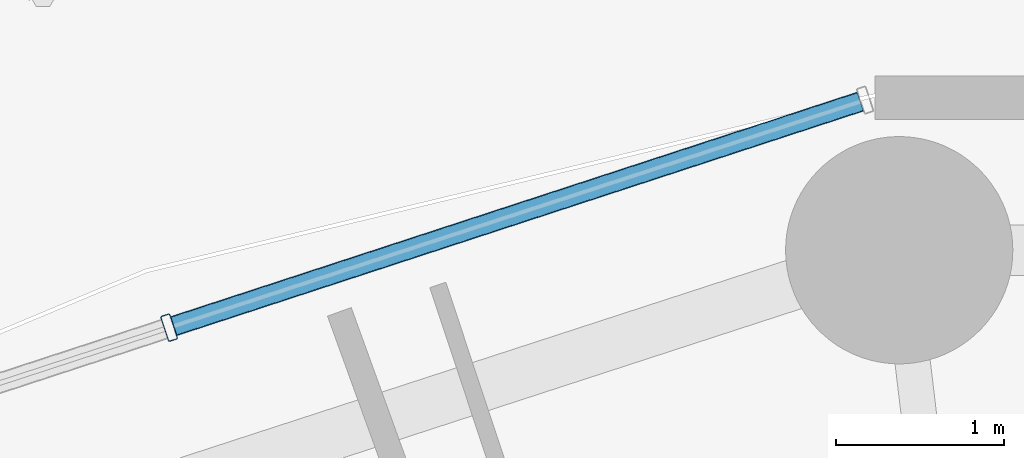
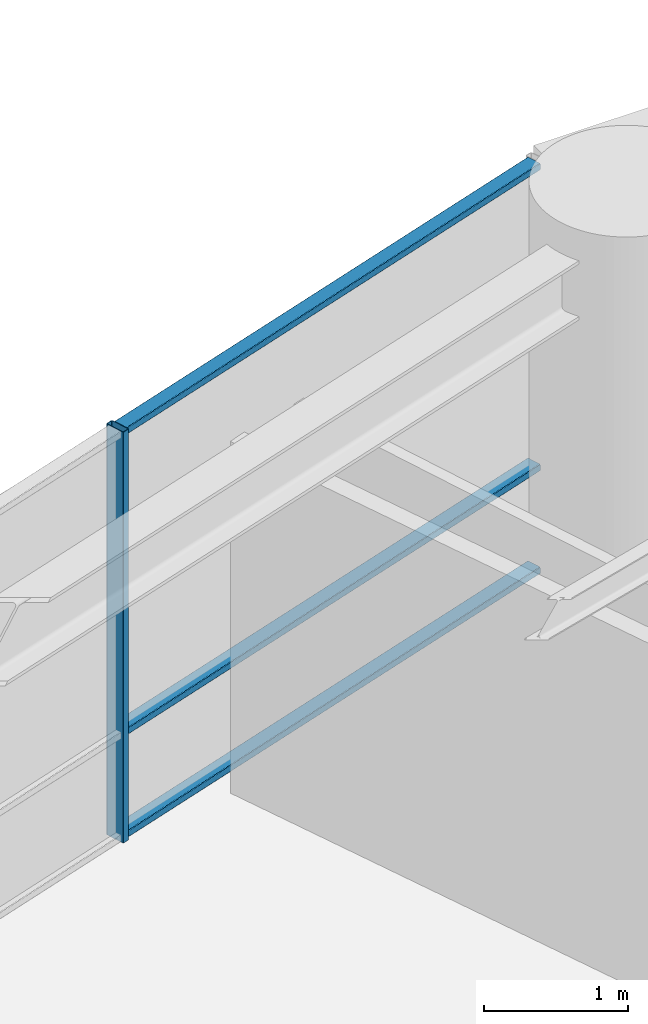
# One storey, part 19 of 34: 4 members, 1 element without a shape of its own.
"""IFC4 building model written with IfcOpenShell, lengths in metres."""

from ifc_helpers import new_model, si_unit, direction, frame, origin, origin_2d, place, context, subcontext, project, spatial, hollow_rectangle, extrude, material, layer, layer_set, material_profile, profile_set, type_object, element, aggregate, save


model = new_model("IFC4")

# Units and contexts
model_context = context("Model", 3, precision=1e-05, world=origin(), true_north=direction((0.0, 1.0)))
body_context = subcontext(model_context, "Body", "Model", "MODEL_VIEW")
ifc_project = project(units=[si_unit("LENGTHUNIT", "METRE"), si_unit("AREAUNIT", "SQUARE_METRE"), si_unit("VOLUMEUNIT", "CUBIC_METRE"), si_unit("PLANEANGLEUNIT", "RADIAN"), si_unit("MASSUNIT", "GRAM", prefix="KILO")], contexts=[model_context])

# Site, building, storey
site_placement = place(None, origin())
site = spatial("IfcSite", under=ifc_project, at=site_placement, CompositionType="ELEMENT")
building_placement = place(site_placement, origin())
building = spatial("IfcBuilding", under=site, at=building_placement, Name="Kelanora Arch Commons", CompositionType="ELEMENT")
storey_placement = place(building_placement, frame((0.0, 0.0, 76.35009765625)))
storey = spatial("IfcBuildingStorey", under=building, at=storey_placement, Name="L19", CompositionType="ELEMENT", Elevation=76.35009765625)

# Curtain wall, members
ifc_material_1 = material(Name="Terracotta ceramic-fritted low-E glass and aluminium", Category="masonry")
ifc_layer = layer(ifc_material_1, 0.159912109375)
ifc_layer_set = layer_set([ifc_layer], Name="Terracotta ceramic-fritted low-E glass and aluminium")
curtain_wall_type = type_object("IfcCurtainWallType", Name="CW-SYS-01", PredefinedType="NOTDEFINED", material=ifc_layer_set)
curtain_wall_placement = place(storey_placement, origin())
curtain_wall = element("IfcCurtainWall", 1, at=curtain_wall_placement, inside=storey, type_object=curtain_wall_type, Name="Unitised Curtain Wall L19-B05", PredefinedType="NOTDEFINED")
ifc_material_2 = material(Name="Powder-coated aluminium terracotta", Category="masonry")
ifc_material_profile_1 = material_profile(ifc_material_2, hollow_rectangle(XDim=0.159912109375, YDim=0.06005859375, WallThickness=0.0048828125, InnerFilletRadius=0.0048828125, OuterFilletRadius=0.010009765625, at=origin_2d()), Name="CWM160x60")
ifc_profile_set_1 = profile_set([ifc_material_profile_1], Name="Powder-coated aluminium terracotta")
member_type_1 = type_object("IfcMemberType", Name="CWM-STD", PredefinedType="MULLION", material=ifc_profile_set_1)
member_1_placement = place(storey_placement, frame((65.377197265625, 79.28466796875, 0.0), z_axis=(0.0, 0.0, 1.0), x_axis=(0.31080470294, -0.950473795867, 0.0)))
member_1 = element("IfcMember", 2, at=member_1_placement, type_object=member_type_1, Name="CW-01 mullion 2", PredefinedType="MULLION", context=body_context, shape_type="SweptSolid", body=[
    extrude(hollow_rectangle(XDim=0.159912109375, YDim=0.06005859375, WallThickness=0.0048828125, InnerFilletRadius=0.0048828125, OuterFilletRadius=0.010009765625, at=origin_2d()), origin(), (0.0, 0.0, 1.0), 3.474853515625),
])
ifc_material_profile_2 = material_profile(ifc_material_2, hollow_rectangle(XDim=0.1201171875, YDim=0.06005859375, WallThickness=0.0048828125, InnerFilletRadius=0.0048828125, OuterFilletRadius=0.010009765625, at=origin_2d()), Name="CWT120x60")
ifc_profile_set_2 = profile_set([ifc_material_profile_2], Name="Powder-coated aluminium terracotta")
member_type_2 = type_object("IfcMemberType", Name="CWT-STD", PredefinedType="USERDEFINED", material=ifc_profile_set_2)
member_2_placement = place(storey_placement, frame((69.483154296875, 80.627197265625, 0.02978515625), z_axis=(-0.950477544745, -0.31079323824, 0.0), x_axis=(0.31079323824, -0.950477544745, 0.0)))
member_2 = element("IfcMember", 3, at=member_2_placement, type_object=member_type_2, Name="CW-01 transom 1.1", ObjectType="TRANSOM", PredefinedType="USERDEFINED", context=body_context, shape_type="SweptSolid", body=[
    extrude(hollow_rectangle(XDim=0.1201171875, YDim=0.06005859375, WallThickness=0.0048828125, InnerFilletRadius=0.0048828125, OuterFilletRadius=0.010009765625, at=origin_2d()), origin(), (0.0, 0.0, 1.0), 4.289794921875),
])
member_3_placement = place(storey_placement, frame((69.483154296875, 80.627197265625, 0.89990234375), z_axis=(-0.950477544745, -0.31079323824, 0.0), x_axis=(0.31079323824, -0.950477544745, 0.0)))
member_3 = element("IfcMember", 4, at=member_3_placement, type_object=member_type_2, Name="CW-01 transom 1.2", ObjectType="TRANSOM", PredefinedType="USERDEFINED", context=body_context, shape_type="SweptSolid", body=[
    extrude(hollow_rectangle(XDim=0.1201171875, YDim=0.06005859375, WallThickness=0.0048828125, InnerFilletRadius=0.0048828125, OuterFilletRadius=0.010009765625, at=origin_2d()), origin(), (0.0, 0.0, 1.0), 4.289794921875),
])
member_4_placement = place(storey_placement, frame((69.483154296875, 80.627197265625, 3.44482421875), z_axis=(-0.950477544745, -0.31079323824, 0.0), x_axis=(0.31079323824, -0.950477544745, 0.0)))
member_4 = element("IfcMember", 5, at=member_4_placement, type_object=member_type_2, Name="CW-01 transom 1.3", ObjectType="TRANSOM", PredefinedType="USERDEFINED", context=body_context, shape_type="SweptSolid", body=[
    extrude(hollow_rectangle(XDim=0.1201171875, YDim=0.06005859375, WallThickness=0.0048828125, InnerFilletRadius=0.0048828125, OuterFilletRadius=0.010009765625, at=origin_2d()), origin(), (0.0, 0.0, 1.0), 4.289794921875),
])
aggregate(curtain_wall, [member_1, member_2, member_3, member_4])

save(model, "model.ifc")
